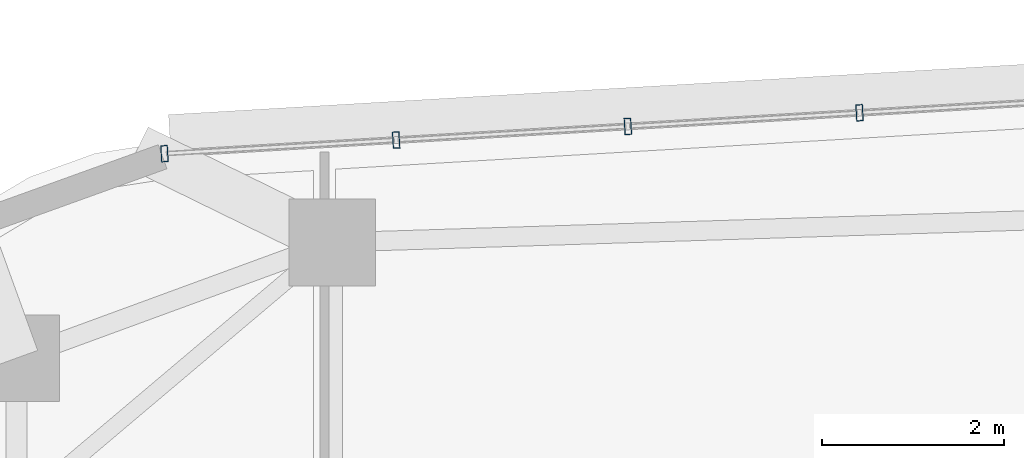
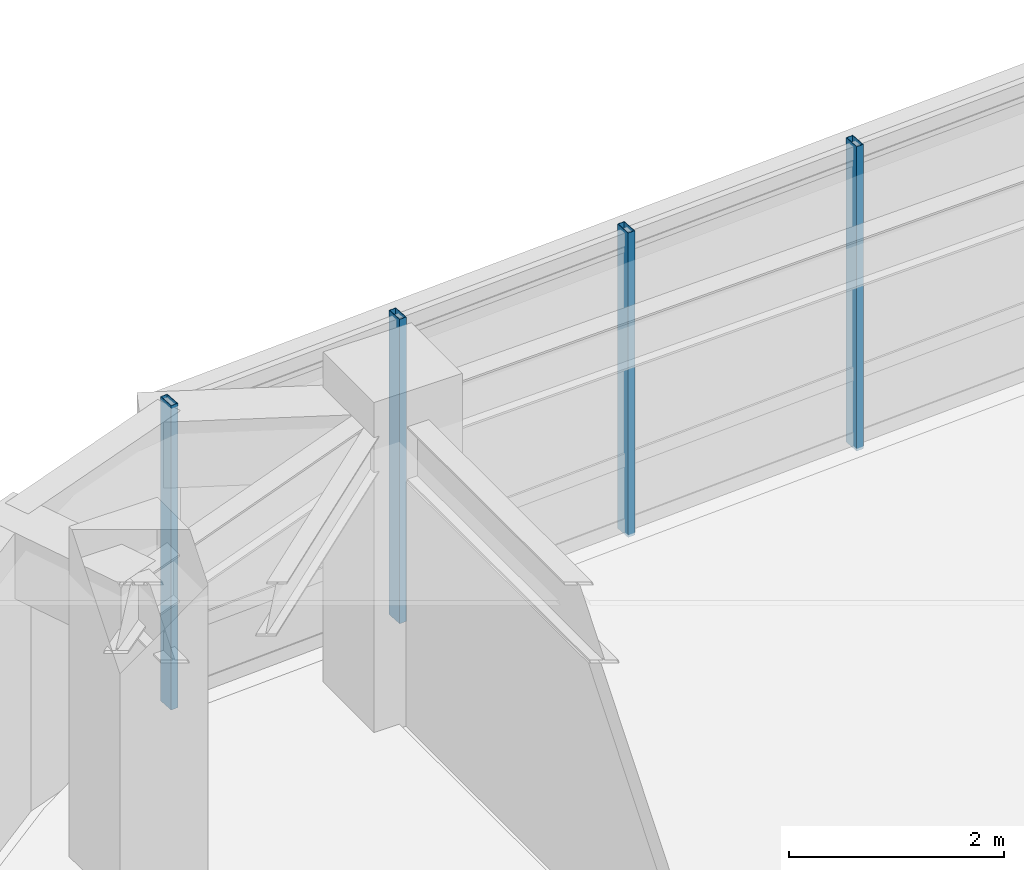
# One storey, part 2 of 14: 4 members, 1 element without a shape of its own.
"""IFC4 building model written with IfcOpenShell, lengths in metres."""

from ifc_helpers import new_model, si_unit, direction, frame, origin, origin_2d, place, context, subcontext, project, spatial, hollow_rectangle, extrude, material, material_profile, profile_set, type_object, element, aggregate, save


model = new_model("IFC4")

# Units and contexts
model_context = context("Model", 3, precision=1e-05, world=origin(), true_north=direction((0.0, 1.0)))
body_context = subcontext(model_context, "Body", "Model", "MODEL_VIEW")
ifc_project = project(units=[si_unit("LENGTHUNIT", "METRE"), si_unit("AREAUNIT", "SQUARE_METRE"), si_unit("VOLUMEUNIT", "CUBIC_METRE"), si_unit("PLANEANGLEUNIT", "RADIAN"), si_unit("MASSUNIT", "GRAM", prefix="KILO")], contexts=[model_context])

# Site, building, storey
site_placement = place(None, origin())
site = spatial("IfcSite", under=ifc_project, at=site_placement, CompositionType="ELEMENT")
building_placement = place(site_placement, origin())
building = spatial("IfcBuilding", under=site, at=building_placement, Name="Zulverin Broadcast Headquarters", CompositionType="ELEMENT")
storey_placement = place(building_placement, frame((0.0, 0.0, 216.199951171875)))
storey = spatial("IfcBuildingStorey", under=building, at=storey_placement, Name="L55", CompositionType="ELEMENT", Elevation=216.199951171875)

# Curtain wall, members
ifc_material_1 = material(Name="Waist wind-pressure unitised curtain wall", Category="aluminium")
curtain_wall_type = type_object("IfcCurtainWallType", Name="CW-TWR-WST", PredefinedType="USERDEFINED", material=ifc_material_1)
curtain_wall_placement = place(storey_placement, origin())
curtain_wall = element("IfcCurtainWall", 1, at=curtain_wall_placement, inside=storey, type_object=curtain_wall_type, Name="L55 Unitised Curtain Wall CW-L55-E5", ObjectType="UNITISED CURTAIN WALL", PredefinedType="USERDEFINED")
ifc_material_2 = material(Name="Anodized pale-metal aluminium alloy 6063-T6", Category="aluminium")
ifc_material_profile = material_profile(ifc_material_2, hollow_rectangle(XDim=0.074951171875, YDim=0.179931640625, WallThickness=0.0048828125, at=origin_2d()), Name="Anodized pale-metal aluminium alloy 6063-T6", Category="aluminium")
ifc_profile_set = profile_set([ifc_material_profile], Name="Anodized pale-metal aluminium alloy 6063-T6")
member_type = type_object("IfcMemberType", Name="CW-MUL-180", PredefinedType="MULLION", material=ifc_profile_set)
member_1_placement = place(storey_placement, frame((36.67236328125, 47.698486328125, -0.030029296875), z_axis=(0.0, 0.0, 1.0), x_axis=(-0.998274332859, -0.058722707319, 0.0)))
member_1 = element("IfcMember", 2, at=member_1_placement, type_object=member_type, Name="CW-L55-E5 Mullion 04", PredefinedType="MULLION", context=body_context, shape_type="SweptSolid", body=[
    extrude(hollow_rectangle(XDim=0.074951171875, YDim=0.179931640625, WallThickness=0.0048828125, at=origin_2d()), origin(), (0.0, 0.0, 1.0), 3.4599609375),
])
member_2_placement = place(storey_placement, frame((34.129150390625, 47.548828125, -0.030029296875), z_axis=(0.0, 0.0, 1.0), x_axis=(-0.998274332859, -0.058722707319, 0.0)))
member_2 = element("IfcMember", 3, at=member_2_placement, type_object=member_type, Name="CW-L55-E5 Mullion 05", PredefinedType="MULLION", context=body_context, shape_type="SweptSolid", body=[
    extrude(hollow_rectangle(XDim=0.074951171875, YDim=0.179931640625, WallThickness=0.0048828125, at=origin_2d()), origin(), (0.0, 0.0, 1.0), 3.4599609375),
])
member_3_placement = place(storey_placement, frame((31.5859375, 47.399169921875, -0.030029296875), z_axis=(0.0, 0.0, 1.0), x_axis=(-0.998274332859, -0.058722707319, 0.0)))
member_3 = element("IfcMember", 4, at=member_3_placement, type_object=member_type, Name="CW-L55-E5 Mullion 06", PredefinedType="MULLION", context=body_context, shape_type="SweptSolid", body=[
    extrude(hollow_rectangle(XDim=0.074951171875, YDim=0.179931640625, WallThickness=0.0048828125, at=origin_2d()), origin(), (0.0, 0.0, 1.0), 3.4599609375),
])
member_4_placement = place(storey_placement, frame((29.042724609375, 47.24951171875, -0.030029296875), z_axis=(0.0, 0.0, 1.0), x_axis=(-0.998274332859, -0.058722707319, 0.0)))
member_4 = element("IfcMember", 5, at=member_4_placement, type_object=member_type, Name="CW-L55-E5 Mullion 07", PredefinedType="MULLION", context=body_context, shape_type="SweptSolid", body=[
    extrude(hollow_rectangle(XDim=0.074951171875, YDim=0.179931640625, WallThickness=0.0048828125, at=origin_2d()), origin(), (0.0, 0.0, 1.0), 3.4599609375),
])
aggregate(curtain_wall, [member_1, member_2, member_3, member_4])

save(model, "model.ifc")
